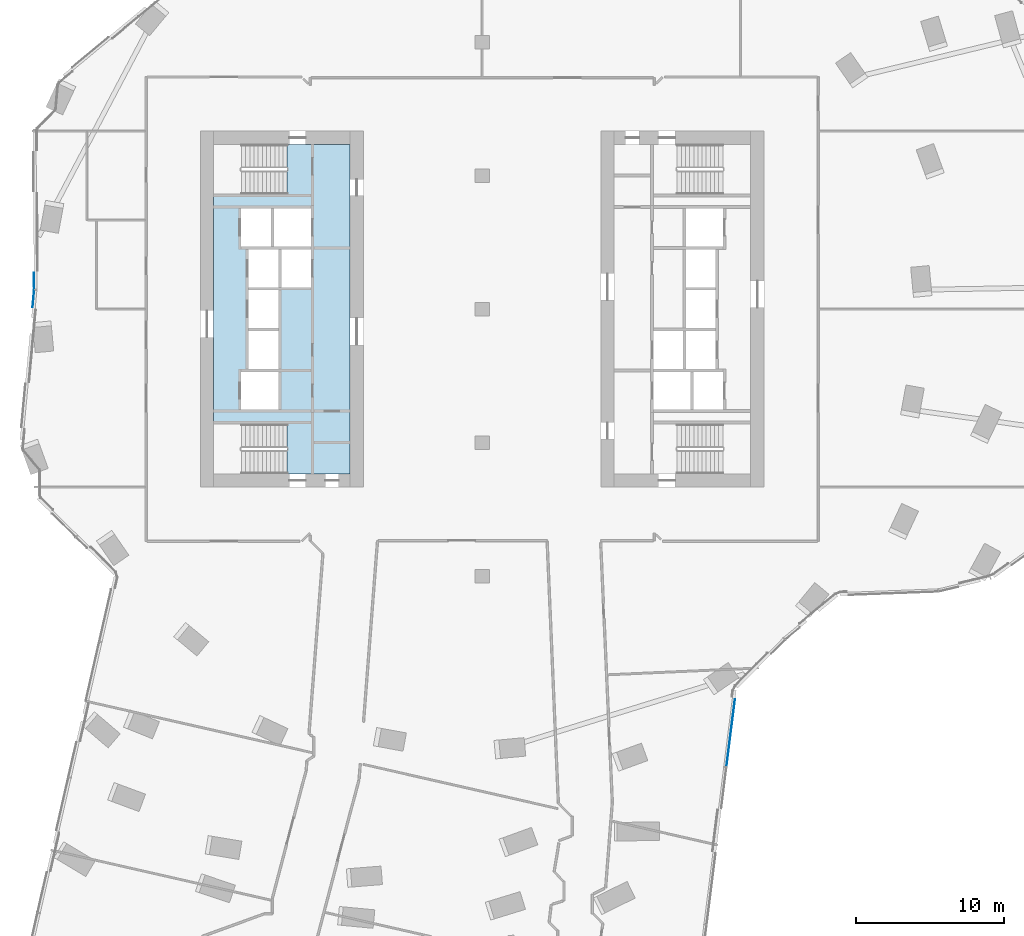
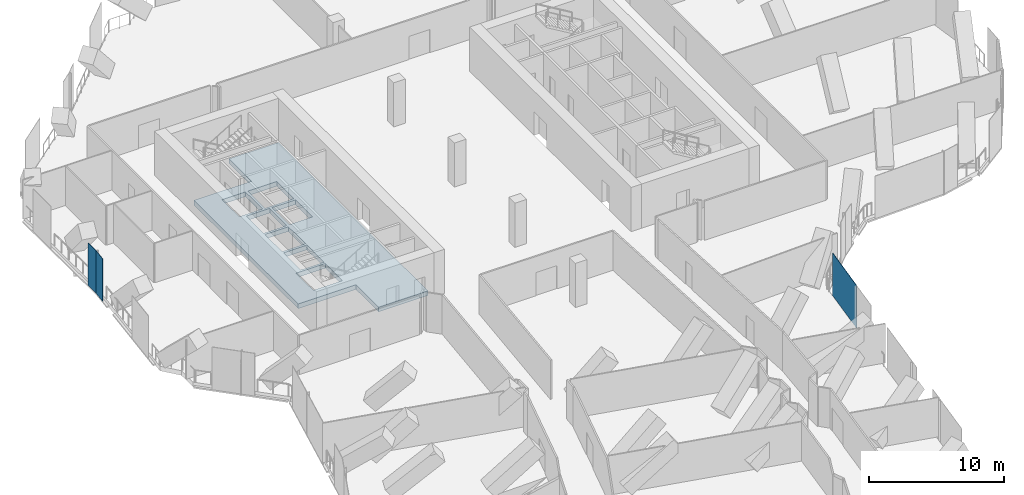
# One storey, part 16 of 29: 3 plates, 1 slab, 3 elements without a shape of their own.
"""IFC4 building model written with IfcOpenShell, lengths in metres."""

from ifc_helpers import new_model, si_unit, direction, frame, origin, origin_2d, place, context, subcontext, project, spatial, polyline, rectangle, outline, extrude, material, layer, layer_set, type_object, element, aggregate, save


model = new_model("IFC4")

# Units and contexts
model_context = context("Model", 3, precision=1e-05, world=origin(), true_north=direction((0.0, 1.0)))
body_context = subcontext(model_context, "Body", "Model", "MODEL_VIEW")
ifc_project = project(units=[si_unit("LENGTHUNIT", "METRE"), si_unit("AREAUNIT", "SQUARE_METRE"), si_unit("VOLUMEUNIT", "CUBIC_METRE"), si_unit("PLANEANGLEUNIT", "RADIAN"), si_unit("MASSUNIT", "GRAM", prefix="KILO")], contexts=[model_context])

# Site, building, storey
site_placement = place(None, origin())
site = spatial("IfcSite", under=ifc_project, at=site_placement, CompositionType="ELEMENT")
building_placement = place(site_placement, origin())
building = spatial("IfcBuilding", under=site, at=building_placement, Name="Orlundy Tower", CompositionType="ELEMENT")
storey_placement = place(building_placement, frame((0.0, 0.0, 184.60009765625)))
storey = spatial("IfcBuildingStorey", under=building, at=storey_placement, Name="L48", CompositionType="ELEMENT", Elevation=184.60009765625)

# Curtain wall, plate
ifc_material_1 = material(Name="Aluminium bronze anodised", Category="aluminium")
curtain_wall_type = type_object("IfcCurtainWallType", Name="CW5 wall", PredefinedType="NOTDEFINED", material=ifc_material_1)
curtain_wall_1_placement = place(storey_placement, origin())
curtain_wall_1 = element("IfcCurtainWall", 1, at=curtain_wall_1_placement, inside=storey, type_object=curtain_wall_type, Name="CW5 run 03", PredefinedType="NOTDEFINED")
ifc_material_2 = material(Name="Tinted glass", Category="glass")
ifc_layer_1 = layer(ifc_material_2, 0.031982421875)
ifc_layer_set_1 = layer_set([ifc_layer_1], Name="CW5 glass panel 32")
plate_type_1 = type_object("IfcPlateType", Name="CW5 glass panel 32", PredefinedType="CURTAIN_PANEL", material=ifc_layer_set_1)
plate_1_placement = place(storey_placement, frame((-30.249267578125, 0.703125, -0.2802734375), z_axis=(0.0, 0.0, 1.0), x_axis=(0.092958448423, 0.995669988936, 0.0)))
plate_1 = element("IfcPlate", 2, at=plate_1_placement, type_object=plate_type_1, Name="CW5 panel", PredefinedType="CURTAIN_PANEL", context=body_context, shape_type="SweptSolid", body=[
    extrude(rectangle(XDim=1.182861328125, YDim=0.031982421875, at=origin_2d()), origin(), (0.0, 0.0, 1.0), 3.860107421875),
])
aggregate(curtain_wall_1, [plate_1])

curtain_wall_2_placement = place(storey_placement, origin())
curtain_wall_2 = element("IfcCurtainWall", 3, at=curtain_wall_2_placement, inside=storey, type_object=curtain_wall_type, Name="CW5 run 032", PredefinedType="NOTDEFINED")
plate_2_placement = place(storey_placement, frame((16.7509765625, -28.56396484375, -0.2802734375), z_axis=(0.0, 0.0, 1.0), x_axis=(-0.124742379758, -0.992189164773, 0.0)))
plate_2 = element("IfcPlate", 4, at=plate_2_placement, type_object=plate_type_1, Name="CW5 panel", PredefinedType="CURTAIN_PANEL", context=body_context, shape_type="SweptSolid", body=[
    extrude(rectangle(XDim=4.59375, YDim=0.031982421875, at=origin_2d()), origin(), (0.0, 0.0, 1.0), 3.860107421875),
])
aggregate(curtain_wall_2, [plate_2])

curtain_wall_3_placement = place(storey_placement, origin())
curtain_wall_3 = element("IfcCurtainWall", 5, at=curtain_wall_3_placement, inside=storey, type_object=curtain_wall_type, Name="CW5 run 04", PredefinedType="NOTDEFINED")
ifc_material_3 = material(Name="Tinted glass", Category="glass")
ifc_layer_2 = layer(ifc_material_3, 0.031982421875)
ifc_layer_set_2 = layer_set([ifc_layer_2], Name="CW5 vent panel 32")
plate_type_2 = type_object("IfcPlateType", Name="CW5 vent panel 32", PredefinedType="CURTAIN_PANEL", material=ifc_layer_set_2)
plate_3_placement = place(storey_placement, frame((-30.195556640625, 1.9033203125, -0.2802734375), z_axis=(0.0, 0.0, 1.0), x_axis=(-0.005848387588, 0.999982898035, 0.0)))
plate_3 = element("IfcPlate", 6, at=plate_3_placement, type_object=plate_type_2, Name="CW5 panel", PredefinedType="CURTAIN_PANEL", context=body_context, shape_type="SweptSolid", body=[
    extrude(rectangle(XDim=1.12255859375, YDim=0.031982421875, at=origin_2d()), origin(), (0.0, 0.0, 1.0), 3.860107421875),
])
aggregate(curtain_wall_3, [plate_3])

# Slab
ifc_material_4 = material(Name="Concrete C50/60", Category="concrete")
ifc_layer_3 = layer(ifc_material_4, 0.419921875)
ifc_layer_set_3 = layer_set([ifc_layer_3], Name="Core Floor Slab 420")
slab_type = type_object("IfcSlabType", Name="Core Floor Slab 420", PredefinedType="FLOOR", material=ifc_layer_set_3)
slab_placement = place(storey_placement, frame((0.0, 0.0, -0.420166015625)))
element("IfcSlab", 7, at=slab_placement, inside=storey, type_object=slab_type, Name="Core floor W37", PredefinedType="FLOOR", context=body_context, shape_type="SweptSolid", body=[
    extrude(outline(polyline([(-13.14501953125, -11.10009765625), (-13.14501953125, -7.75), (-18.10009765625, -7.75), (-18.10009765625, 7.75), (-13.14501953125, 7.75), (-13.14501953125, 11.10009765625), (-8.89990234375, 11.10009765625), (-8.89990234375, -11.10009765625), (-13.14501953125, -11.10009765625)]), holes=[polyline([(-13.739990234375, -4.22509765625), (-16.239990234375, -4.22509765625), (-16.239990234375, -6.77490234375), (-13.739990234375, -6.77490234375), (-13.739990234375, -4.22509765625)]), polyline([(-13.739990234375, -4.02490234375), (-13.739990234375, -1.47509765625), (-15.739990234375, -1.47509765625), (-15.739990234375, -4.02490234375), (-13.739990234375, -4.02490234375)]), polyline([(-15.739990234375, -1.27490234375), (-13.739990234375, -1.27490234375), (-13.739990234375, 1.27490234375), (-15.739990234375, 1.27490234375), (-15.739990234375, -1.27490234375)]), polyline([(-13.5400390625, 4.02490234375), (-13.5400390625, 1.47509765625), (-11.5400390625, 1.47509765625), (-11.5400390625, 4.02490234375), (-13.5400390625, 4.02490234375)]), polyline([(-13.739990234375, 4.02490234375), (-15.739990234375, 4.02490234375), (-15.739990234375, 1.47509765625), (-13.739990234375, 1.47509765625), (-13.739990234375, 4.02490234375)]), polyline([(-11.5400390625, 4.22509765625), (-11.5400390625, 6.77490234375), (-14.0400390625, 6.77490234375), (-14.0400390625, 4.22509765625), (-11.5400390625, 4.22509765625)]), polyline([(-16.239990234375, 4.22509765625), (-14.239990234375, 4.22509765625), (-14.239990234375, 6.77490234375), (-16.239990234375, 6.77490234375), (-16.239990234375, 4.22509765625)])]), origin(), (0.0, 0.0, 1.0), 0.420166015625),
])

save(model, "model.ifc")
